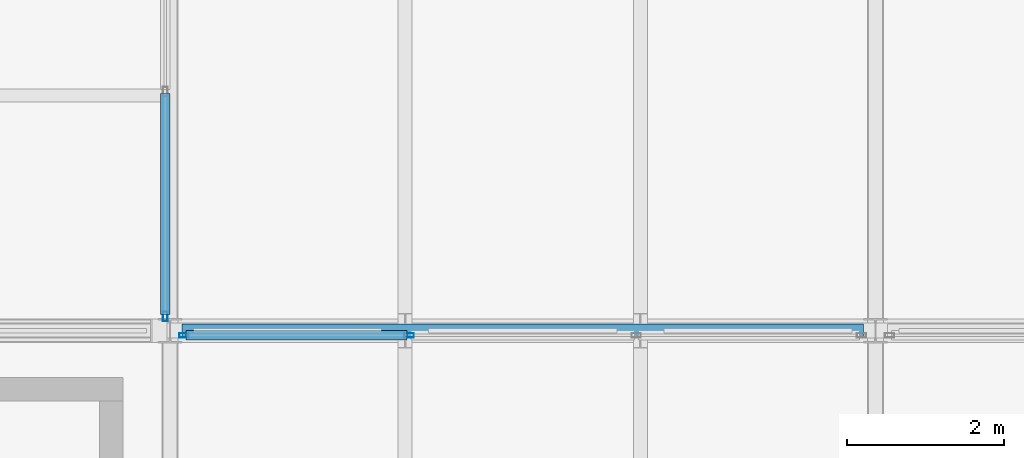
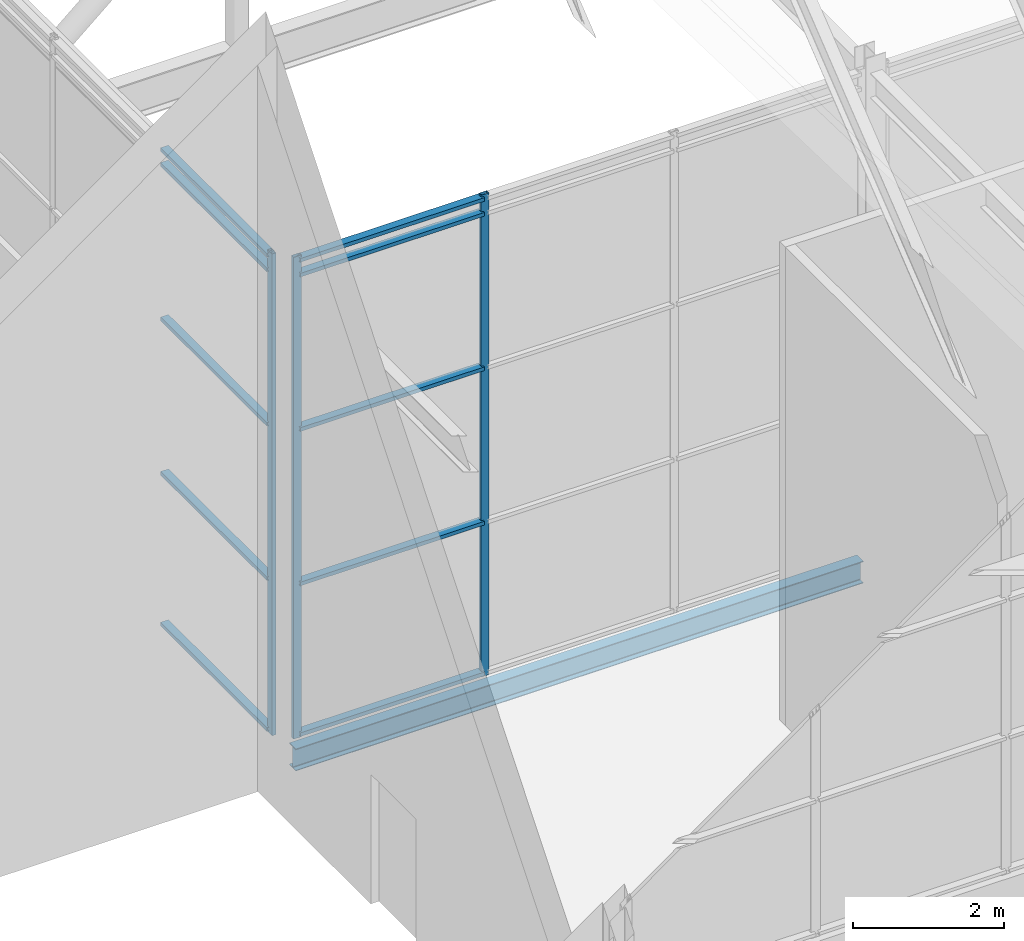
# One storey, part 19 of 144: 13 members, 1 beam, 2 elements without a shape of their own.
"""IFC4 building model written with IfcOpenShell, lengths in metres."""

from ifc_helpers import new_model, si_unit, direction, frame, origin, origin_2d, place, context, subcontext, project, spatial, hollow_rectangle, i_section, extrude, material, layer, layer_set, material_profile, profile_set, type_object, element, aggregate, save


model = new_model("IFC4")

# Units and contexts
model_context = context("Model", 3, precision=1e-05, world=origin(), true_north=direction((0.0, 1.0)))
body_context = subcontext(model_context, "Body", "Model", "MODEL_VIEW")
ifc_project = project(units=[si_unit("LENGTHUNIT", "METRE"), si_unit("AREAUNIT", "SQUARE_METRE"), si_unit("VOLUMEUNIT", "CUBIC_METRE"), si_unit("PLANEANGLEUNIT", "RADIAN"), si_unit("MASSUNIT", "GRAM", prefix="KILO")], contexts=[model_context])

# Site, building, storey
site_placement = place(None, origin())
site = spatial("IfcSite", under=ifc_project, at=site_placement, CompositionType="ELEMENT")
building_placement = place(site_placement, origin())
building = spatial("IfcBuilding", under=site, at=building_placement, Name="Shorebreak Coast Museum", CompositionType="ELEMENT")
storey_placement = place(building_placement, frame((0.0, 0.0, 36.0)))
storey = spatial("IfcBuildingStorey", under=building, at=storey_placement, Name="L06", CompositionType="ELEMENT", Elevation=36.0)

# Beam
ifc_material_1 = material(Name="Steel Grade 300", Category="steel")
ifc_material_profile_1 = material_profile(ifc_material_1, i_section(OverallWidth=0.1708984375, OverallDepth=0.355712890625, WebThickness=0.00732421875, FlangeThickness=0.011474609375, FilletRadius=0.011474609375, at=origin_2d()), Name="360UB50.7")
ifc_profile_set_1 = profile_set([ifc_material_profile_1], Name="Steel Grade 300")
beam_type = type_object("IfcBeamType", Name="Floor girder east-west 360UB50.7", PredefinedType="BEAM", material=ifc_profile_set_1)
beam_placement = place(storey_placement, frame((63.153564453125, 63.0, -0.352783203125), z_axis=(1.0, 0.0, 0.0), x_axis=(0.0, 1.0, 0.0)))
element("IfcBeam", 1, at=beam_placement, inside=storey, type_object=beam_type, Name="Floor girder east-west L06 8H", PredefinedType="BEAM", context=body_context, shape_type="SweptSolid", body=[
    extrude(i_section(OverallWidth=0.1708984375, OverallDepth=0.355712890625, WebThickness=0.00732421875, FlangeThickness=0.011474609375, FilletRadius=0.011474609375, at=origin_2d()), origin(), (0.0, 0.0, 1.0), 8.69287109375),
])

# Curtain wall, members
ifc_material_2 = material(Name="Aluminium", Category="aluminium")
ifc_layer = layer(ifc_material_2, 0.1201171875)
ifc_layer_set = layer_set([ifc_layer], Name="Aluminium")
curtain_wall_type = type_object("IfcCurtainWallType", Name="Atrium fire screen", PredefinedType="NOTDEFINED", material=ifc_layer_set)
curtain_wall_1_placement = place(storey_placement, origin())
curtain_wall_1 = element("IfcCurtainWall", 2, at=curtain_wall_1_placement, inside=storey, type_object=curtain_wall_type, Name="Atrium screen L06 S 79", PredefinedType="NOTDEFINED")
ifc_material_3 = material(Name="Aluminium", Category="aluminium")
ifc_material_profile_2 = material_profile(ifc_material_3, hollow_rectangle(XDim=0.06005859375, YDim=0.1201171875, WallThickness=0.00341796875, at=origin_2d()), Name="AL 120x60 RHS")
ifc_profile_set_2 = profile_set([ifc_material_profile_2], Name="Aluminium")
member_type_1 = type_object("IfcMemberType", Name="Screen mullion 50 x 120", PredefinedType="MULLION", material=ifc_profile_set_2)
member_1_placement = place(storey_placement, frame((63.178466796875, 62.93994140625, 0.0), z_axis=(0.0, 0.0, 1.0), x_axis=(0.0, 1.0, 0.0)))
member_1 = element("IfcMember", 3, at=member_1_placement, type_object=member_type_1, Name="CW5 mullion 1", PredefinedType="MULLION", context=body_context, shape_type="SweptSolid", body=[
    extrude(hollow_rectangle(XDim=0.06005859375, YDim=0.1201171875, WallThickness=0.00341796875, at=origin_2d()), origin(), (0.0, 0.0, 1.0), 7.800048828125),
])
member_2_placement = place(storey_placement, frame((66.05126953125, 62.93994140625, 0.0), z_axis=(0.0, 0.0, 1.0), x_axis=(0.0, 1.0, 0.0)))
member_2 = element("IfcMember", 4, at=member_2_placement, type_object=member_type_1, Name="CW5 mullion 2", PredefinedType="MULLION", context=body_context, shape_type="SweptSolid", body=[
    extrude(hollow_rectangle(XDim=0.06005859375, YDim=0.1201171875, WallThickness=0.00341796875, at=origin_2d()), origin(), (0.0, 0.0, 1.0), 7.800048828125),
])

# Curtain wall, member
curtain_wall_2_placement = place(storey_placement, origin())
curtain_wall_2 = element("IfcCurtainWall", 5, at=curtain_wall_2_placement, inside=storey, type_object=curtain_wall_type, Name="Atrium screen L06 W 89", PredefinedType="NOTDEFINED")
member_3_placement = place(storey_placement, frame((62.93994140625, 63.182373046875, 0.0), z_axis=(0.0, 0.0, 1.0), x_axis=(-1.0, 0.0, 0.0)))
member_3 = element("IfcMember", 6, at=member_3_placement, type_object=member_type_1, Name="CW6 mullion 1", PredefinedType="MULLION", context=body_context, shape_type="SweptSolid", body=[
    extrude(hollow_rectangle(XDim=0.06005859375, YDim=0.1201171875, WallThickness=0.00341796875, at=origin_2d()), origin(), (0.0, 0.0, 1.0), 7.800048828125),
])

# Member
ifc_material_4 = material(Name="Aluminium", Category="aluminium")
ifc_material_profile_3 = material_profile(ifc_material_4, hollow_rectangle(XDim=0.1201171875, YDim=0.06005859375, WallThickness=0.00341796875, at=origin_2d()), Name="AL 60x120 RHS")
ifc_profile_set_3 = profile_set([ifc_material_profile_3], Name="Aluminium")
member_type_2 = type_object("IfcMemberType", Name="Screen transom 120 x 50", PredefinedType="USERDEFINED", material=ifc_profile_set_3)
member_4_placement = place(storey_placement, frame((63.20361328125, 62.93994140625, 0.06005859375), z_axis=(1.0, 0.0, 0.0), x_axis=(0.0, 1.0, 0.0)))
member_4 = element("IfcMember", 7, at=member_4_placement, type_object=member_type_2, Name="CW5 transom 1.1", ObjectType="TRANSOM", PredefinedType="USERDEFINED", context=body_context, shape_type="SweptSolid", body=[
    extrude(hollow_rectangle(XDim=0.1201171875, YDim=0.06005859375, WallThickness=0.00341796875, at=origin_2d()), origin(), (0.0, 0.0, 1.0), 2.822509765625),
])

member_5_placement = place(storey_placement, frame((63.20361328125, 62.93994140625, 2.5), z_axis=(1.0, 0.0, 0.0), x_axis=(0.0, 1.0, 0.0)))
member_5 = element("IfcMember", 8, at=member_5_placement, type_object=member_type_2, Name="CW5 transom 1.2", ObjectType="TRANSOM", PredefinedType="USERDEFINED", context=body_context, shape_type="SweptSolid", body=[
    extrude(hollow_rectangle(XDim=0.1201171875, YDim=0.06005859375, WallThickness=0.00341796875, at=origin_2d()), origin(), (0.0, 0.0, 1.0), 2.822509765625),
])

member_6_placement = place(storey_placement, frame((63.20361328125, 62.93994140625, 5.0), z_axis=(1.0, 0.0, 0.0), x_axis=(0.0, 1.0, 0.0)))
member_6 = element("IfcMember", 9, at=member_6_placement, type_object=member_type_2, Name="CW5 transom 1.3", ObjectType="TRANSOM", PredefinedType="USERDEFINED", context=body_context, shape_type="SweptSolid", body=[
    extrude(hollow_rectangle(XDim=0.1201171875, YDim=0.06005859375, WallThickness=0.00341796875, at=origin_2d()), origin(), (0.0, 0.0, 1.0), 2.822509765625),
])

member_7_placement = place(storey_placement, frame((63.20361328125, 62.93994140625, 7.5), z_axis=(1.0, 0.0, 0.0), x_axis=(0.0, 1.0, 0.0)))
member_7 = element("IfcMember", 10, at=member_7_placement, type_object=member_type_2, Name="CW5 transom 1.4", ObjectType="TRANSOM", PredefinedType="USERDEFINED", context=body_context, shape_type="SweptSolid", body=[
    extrude(hollow_rectangle(XDim=0.1201171875, YDim=0.06005859375, WallThickness=0.00341796875, at=origin_2d()), origin(), (0.0, 0.0, 1.0), 2.822509765625),
])

member_8_placement = place(storey_placement, frame((63.20361328125, 62.93994140625, 7.739990234375), z_axis=(1.0, 0.0, 0.0), x_axis=(0.0, 1.0, 0.0)))
member_8 = element("IfcMember", 11, at=member_8_placement, type_object=member_type_2, Name="CW5 transom 1.5", ObjectType="TRANSOM", PredefinedType="USERDEFINED", context=body_context, shape_type="SweptSolid", body=[
    extrude(hollow_rectangle(XDim=0.1201171875, YDim=0.06005859375, WallThickness=0.00341796875, at=origin_2d()), origin(), (0.0, 0.0, 1.0), 2.822509765625),
])

aggregate(curtain_wall_1, [member_1, member_2, member_4, member_5, member_6, member_7, member_8])

member_9_placement = place(storey_placement, frame((62.93994140625, 63.207275390625, 0.06005859375), z_axis=(0.0, 1.0, 0.0), x_axis=(-1.0, 0.0, 0.0)))
member_9 = element("IfcMember", 12, at=member_9_placement, type_object=member_type_2, Name="CW6 transom 1.1", ObjectType="TRANSOM", PredefinedType="USERDEFINED", context=body_context, shape_type="SweptSolid", body=[
    extrude(hollow_rectangle(XDim=0.1201171875, YDim=0.06005859375, WallThickness=0.00341796875, at=origin_2d()), origin(), (0.0, 0.0, 1.0), 2.818115234375),
])

member_10_placement = place(storey_placement, frame((62.93994140625, 63.207275390625, 2.5), z_axis=(0.0, 1.0, 0.0), x_axis=(-1.0, 0.0, 0.0)))
member_10 = element("IfcMember", 13, at=member_10_placement, type_object=member_type_2, Name="CW6 transom 1.2", ObjectType="TRANSOM", PredefinedType="USERDEFINED", context=body_context, shape_type="SweptSolid", body=[
    extrude(hollow_rectangle(XDim=0.1201171875, YDim=0.06005859375, WallThickness=0.00341796875, at=origin_2d()), origin(), (0.0, 0.0, 1.0), 2.818115234375),
])

member_11_placement = place(storey_placement, frame((62.93994140625, 63.207275390625, 5.0), z_axis=(0.0, 1.0, 0.0), x_axis=(-1.0, 0.0, 0.0)))
member_11 = element("IfcMember", 14, at=member_11_placement, type_object=member_type_2, Name="CW6 transom 1.3", ObjectType="TRANSOM", PredefinedType="USERDEFINED", context=body_context, shape_type="SweptSolid", body=[
    extrude(hollow_rectangle(XDim=0.1201171875, YDim=0.06005859375, WallThickness=0.00341796875, at=origin_2d()), origin(), (0.0, 0.0, 1.0), 2.818115234375),
])

member_12_placement = place(storey_placement, frame((62.93994140625, 63.207275390625, 7.5), z_axis=(0.0, 1.0, 0.0), x_axis=(-1.0, 0.0, 0.0)))
member_12 = element("IfcMember", 15, at=member_12_placement, type_object=member_type_2, Name="CW6 transom 1.4", ObjectType="TRANSOM", PredefinedType="USERDEFINED", context=body_context, shape_type="SweptSolid", body=[
    extrude(hollow_rectangle(XDim=0.1201171875, YDim=0.06005859375, WallThickness=0.00341796875, at=origin_2d()), origin(), (0.0, 0.0, 1.0), 2.818115234375),
])

member_13_placement = place(storey_placement, frame((62.93994140625, 63.207275390625, 7.739990234375), z_axis=(0.0, 1.0, 0.0), x_axis=(-1.0, 0.0, 0.0)))
member_13 = element("IfcMember", 16, at=member_13_placement, type_object=member_type_2, Name="CW6 transom 1.5", ObjectType="TRANSOM", PredefinedType="USERDEFINED", context=body_context, shape_type="SweptSolid", body=[
    extrude(hollow_rectangle(XDim=0.1201171875, YDim=0.06005859375, WallThickness=0.00341796875, at=origin_2d()), origin(), (0.0, 0.0, 1.0), 2.818115234375),
])

aggregate(curtain_wall_2, [member_3, member_9, member_10, member_11, member_12, member_13])

save(model, "model.ifc")
